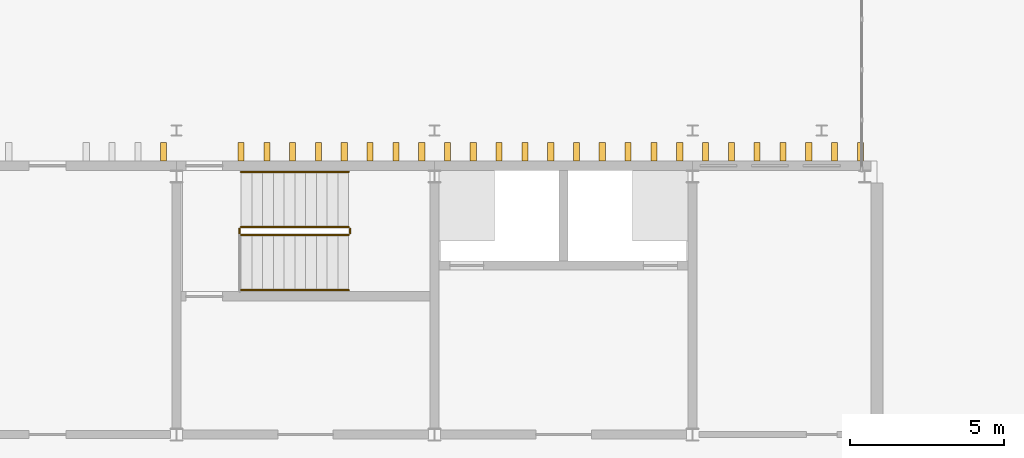
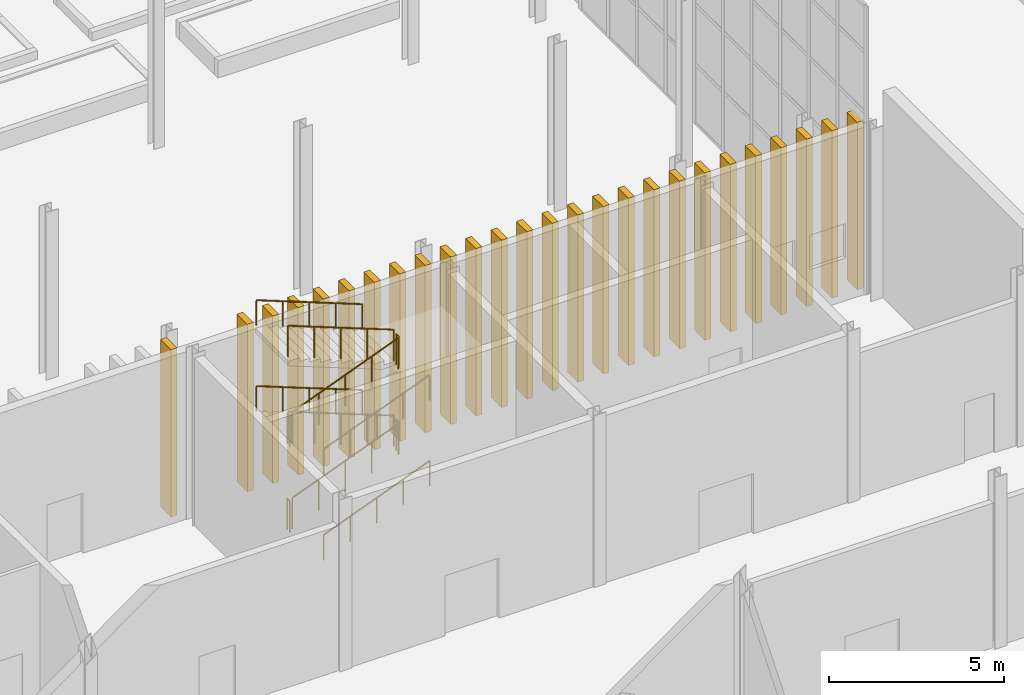
# One storey, part 100 of 108: 26 coverings, 12 railings.
"""IFC4 building model written with IfcOpenShell, lengths in metres."""

from ifc_helpers import new_model, si_unit, direction, frame, origin, origin_2d, place, context, subcontext, project, spatial, rectangle, circle, extrude, material, type_object, element, save


model = new_model("IFC4")

# Units and contexts
model_context = context("Model", 3, precision=1e-05, world=origin(), true_north=direction((0.0, 1.0)))
body_context = subcontext(model_context, "Body", "Model", "MODEL_VIEW")
ifc_project = project(units=[si_unit("LENGTHUNIT", "METRE"), si_unit("AREAUNIT", "SQUARE_METRE"), si_unit("VOLUMEUNIT", "CUBIC_METRE"), si_unit("PLANEANGLEUNIT", "RADIAN"), si_unit("MASSUNIT", "GRAM", prefix="KILO")], contexts=[model_context])

# Site, building, storey
site_placement = place(None, origin())
site = spatial("IfcSite", under=ifc_project, at=site_placement, CompositionType="ELEMENT")
building_placement = place(site_placement, origin())
building = spatial("IfcBuilding", under=site, at=building_placement, Name="Cresset Court Congress Hotel", CompositionType="ELEMENT")
storey_placement = place(building_placement, origin())
storey = spatial("IfcBuildingStorey", under=building, at=storey_placement, Name="L00", CompositionType="ELEMENT", Elevation=0.0)

# Railings
ifc_material_1 = material(Name="Steel and laminated glass", Category="steel")
railing_type_1 = type_object("IfcRailingType", Name="Guard 1100 steel and glass", PredefinedType="GUARDRAIL", material=ifc_material_1)
railing_1_placement = place(storey_placement, frame((136.5, 23.300048828125, 0.136474609375)))
element("IfcRailing", 1, at=railing_1_placement, inside=storey, type_object=railing_type_1, Name="L00 ST-B5 stair guard 1", PredefinedType="GUARDRAIL", context=body_context, shape_type="SweptSolid", body=[
    extrude(circle(Radius=0.02392578125, at=origin_2d()), frame((0.0, 0.0, 1.076171875), z_axis=(0.931787385211, 0.0, 0.3630045024), x_axis=(0.0, 1.0, 0.0)), (0.0, 0.0, 1.0), 3.756103515625),
    extrude(circle(Radius=0.02099609375, at=origin_2d()), origin(), (0.0, 0.0, 1.0), 1.052001953125),
    extrude(circle(Radius=0.02099609375, at=origin_2d()), frame((0.875, 0.0, 0.3408203125)), (0.0, 0.0, 1.0), 1.052001953125),
    extrude(circle(Radius=0.02099609375, at=origin_2d()), frame((1.75, 0.0, 0.681640625)), (0.0, 0.0, 1.0), 1.052001953125),
    extrude(circle(Radius=0.02099609375, at=origin_2d()), frame((2.625, 0.0, 1.022705078125)), (0.0, 0.0, 1.0), 1.052001953125),
    extrude(circle(Radius=0.02099609375, at=origin_2d()), frame((3.5, 0.0, 1.363525390625)), (0.0, 0.0, 1.0), 1.052001953125),
])
railing_2_placement = place(storey_placement, frame((140.050048828125, 23.35009765625, 1.5)))
element("IfcRailing", 2, at=railing_2_placement, inside=storey, type_object=railing_type_1, Name="L00 ST-B5 stair guard 2", PredefinedType="GUARDRAIL", context=body_context, shape_type="SweptSolid", body=[
    extrude(circle(Radius=0.02392578125, at=origin_2d()), frame((0.0, 0.0, 1.076171875), z_axis=(0.0, 1.0, 0.0), x_axis=(-1.0, 0.0, 0.0)), (0.0, 0.0, 1.0), 0.14990234375),
    extrude(circle(Radius=0.02099609375, at=origin_2d()), origin(), (0.0, 0.0, 1.0), 1.052001953125),
    extrude(circle(Radius=0.02099609375, at=origin_2d()), frame((0.0, 0.14990234375, 0.0)), (0.0, 0.0, 1.0), 1.052001953125),
])
railing_3_placement = place(storey_placement, frame((140.0, 23.550048828125, 1.636474609375)))
element("IfcRailing", 3, at=railing_3_placement, inside=storey, type_object=railing_type_1, Name="L00 ST-B5 stair guard 3", PredefinedType="GUARDRAIL", context=body_context, shape_type="SweptSolid", body=[
    extrude(circle(Radius=0.02392578125, at=origin_2d()), frame((0.0, 0.0, 1.076171875), z_axis=(-0.931787385211, 0.0, 0.3630045024), x_axis=(0.0, -1.0, 0.0)), (0.0, 0.0, 1.0), 3.756103515625),
    extrude(circle(Radius=0.02099609375, at=origin_2d()), origin(), (0.0, 0.0, 1.0), 1.052001953125),
    extrude(circle(Radius=0.02099609375, at=origin_2d()), frame((-0.875, 0.0, 0.3408203125)), (0.0, 0.0, 1.0), 1.052001953125),
    extrude(circle(Radius=0.02099609375, at=origin_2d()), frame((-1.75, 0.0, 0.681640625)), (0.0, 0.0, 1.0), 1.052001953125),
    extrude(circle(Radius=0.02099609375, at=origin_2d()), frame((-2.625, 0.0, 1.022705078125)), (0.0, 0.0, 1.0), 1.052001953125),
    extrude(circle(Radius=0.02099609375, at=origin_2d()), frame((-3.5, 0.0, 1.363525390625)), (0.0, 0.0, 1.0), 1.052001953125),
])
railing_4_placement = place(storey_placement, frame((136.449951171875, 23.35009765625, 3.0)))
element("IfcRailing", 4, at=railing_4_placement, inside=storey, type_object=railing_type_1, Name="L00 ST-B5 stair guard 4", PredefinedType="GUARDRAIL", context=body_context, shape_type="SweptSolid", body=[
    extrude(circle(Radius=0.02392578125, at=origin_2d()), frame((0.0, 0.0, 1.076171875), z_axis=(0.0, 1.0, 0.0), x_axis=(-1.0, 0.0, 0.0)), (0.0, 0.0, 1.0), 0.14990234375),
    extrude(circle(Radius=0.02099609375, at=origin_2d()), origin(), (0.0, 0.0, 1.0), 1.052001953125),
    extrude(circle(Radius=0.02099609375, at=origin_2d()), frame((0.0, 0.14990234375, 0.0)), (0.0, 0.0, 1.0), 1.052001953125),
])
railing_5_placement = place(storey_placement, frame((136.5, 23.300048828125, 3.136474609375)))
element("IfcRailing", 5, at=railing_5_placement, inside=storey, type_object=railing_type_1, Name="L00 ST-B5 stair guard 5", PredefinedType="GUARDRAIL", context=body_context, shape_type="SweptSolid", body=[
    extrude(circle(Radius=0.02392578125, at=origin_2d()), frame((0.0, 0.0, 1.076171875), z_axis=(0.931787385211, 0.0, 0.3630045024), x_axis=(0.0, 1.0, 0.0)), (0.0, 0.0, 1.0), 3.756103515625),
    extrude(circle(Radius=0.02099609375, at=origin_2d()), origin(), (0.0, 0.0, 1.0), 1.052001953125),
    extrude(circle(Radius=0.02099609375, at=origin_2d()), frame((0.875, 0.0, 0.3408203125)), (0.0, 0.0, 1.0), 1.052001953125),
    extrude(circle(Radius=0.02099609375, at=origin_2d()), frame((1.75, 0.0, 0.681640625)), (0.0, 0.0, 1.0), 1.052001953125),
    extrude(circle(Radius=0.02099609375, at=origin_2d()), frame((2.625, 0.0, 1.022705078125)), (0.0, 0.0, 1.0), 1.052001953125),
    extrude(circle(Radius=0.02099609375, at=origin_2d()), frame((3.5, 0.0, 1.363525390625)), (0.0, 0.0, 1.0), 1.052001953125),
])
railing_6_placement = place(storey_placement, frame((140.050048828125, 23.35009765625, 4.5)))
element("IfcRailing", 6, at=railing_6_placement, inside=storey, type_object=railing_type_1, Name="L00 ST-B5 stair guard 6", PredefinedType="GUARDRAIL", context=body_context, shape_type="SweptSolid", body=[
    extrude(circle(Radius=0.02392578125, at=origin_2d()), frame((0.0, 0.0, 1.076171875), z_axis=(0.0, 1.0, 0.0), x_axis=(-1.0, 0.0, 0.0)), (0.0, 0.0, 1.0), 0.14990234375),
    extrude(circle(Radius=0.02099609375, at=origin_2d()), origin(), (0.0, 0.0, 1.0), 1.052001953125),
    extrude(circle(Radius=0.02099609375, at=origin_2d()), frame((0.0, 0.14990234375, 0.0)), (0.0, 0.0, 1.0), 1.052001953125),
])
railing_7_placement = place(storey_placement, frame((140.0, 23.550048828125, 4.636474609375)))
element("IfcRailing", 7, at=railing_7_placement, inside=storey, type_object=railing_type_1, Name="L00 ST-B5 stair guard 7", PredefinedType="GUARDRAIL", context=body_context, shape_type="SweptSolid", body=[
    extrude(circle(Radius=0.02392578125, at=origin_2d()), frame((0.0, 0.0, 1.076171875), z_axis=(-0.931787385211, 0.0, 0.3630045024), x_axis=(0.0, -1.0, 0.0)), (0.0, 0.0, 1.0), 3.756103515625),
    extrude(circle(Radius=0.02099609375, at=origin_2d()), origin(), (0.0, 0.0, 1.0), 1.052001953125),
    extrude(circle(Radius=0.02099609375, at=origin_2d()), frame((-0.875, 0.0, 0.3408203125)), (0.0, 0.0, 1.0), 1.052001953125),
    extrude(circle(Radius=0.02099609375, at=origin_2d()), frame((-1.75, 0.0, 0.681640625)), (0.0, 0.0, 1.0), 1.052001953125),
    extrude(circle(Radius=0.02099609375, at=origin_2d()), frame((-2.625, 0.0, 1.022705078125)), (0.0, 0.0, 1.0), 1.052001953125),
    extrude(circle(Radius=0.02099609375, at=origin_2d()), frame((-3.5, 0.0, 1.363525390625)), (0.0, 0.0, 1.0), 1.052001953125),
])
railing_8_placement = place(storey_placement, frame((136.449951171875, 23.35009765625, 0.0)))
element("IfcRailing", 8, at=railing_8_placement, inside=storey, type_object=railing_type_1, Name="L00 ST-B5 stair guard 8", PredefinedType="GUARDRAIL", context=body_context, shape_type="SweptSolid", body=[
    extrude(circle(Radius=0.02392578125, at=origin_2d()), frame((0.0, 0.0, 1.076171875), z_axis=(0.0, 1.0, 0.0), x_axis=(-1.0, 0.0, 0.0)), (0.0, 0.0, 1.0), 0.14990234375),
    extrude(circle(Radius=0.02099609375, at=origin_2d()), origin(), (0.0, 0.0, 1.0), 1.052001953125),
    extrude(circle(Radius=0.02099609375, at=origin_2d()), frame((0.0, 0.14990234375, 0.0)), (0.0, 0.0, 1.0), 1.052001953125),
])
ifc_material_2 = material(Name="Stainless steel", Category="steel")
railing_type_2 = type_object("IfcRailingType", Name="Handrail 48 stainless", PredefinedType="HANDRAIL", material=ifc_material_2)
railing_9_placement = place(storey_placement, frame((136.5, 21.5, 0.136474609375)))
element("IfcRailing", 9, at=railing_9_placement, inside=storey, type_object=railing_type_2, Name="L00 ST-B5 stair handrail 1", PredefinedType="HANDRAIL", context=body_context, shape_type="SweptSolid", body=[
    extrude(circle(Radius=0.02392578125, at=origin_2d()), frame((0.0, 0.0, 0.8759765625), z_axis=(0.931787385211, 0.0, 0.3630045024), x_axis=(0.0, 1.0, 0.0)), (0.0, 0.0, 1.0), 3.756103515625),
    extrude(circle(Radius=0.02099609375, at=origin_2d()), origin(), (0.0, 0.0, 1.0), 0.851806640625),
    extrude(circle(Radius=0.02099609375, at=origin_2d()), frame((0.875, 0.0, 0.3408203125)), (0.0, 0.0, 1.0), 0.851806640625),
    extrude(circle(Radius=0.02099609375, at=origin_2d()), frame((1.75, 0.0, 0.681640625)), (0.0, 0.0, 1.0), 0.851806640625),
    extrude(circle(Radius=0.02099609375, at=origin_2d()), frame((2.625, 0.0, 1.022705078125)), (0.0, 0.0, 1.0), 0.851806640625),
    extrude(circle(Radius=0.02099609375, at=origin_2d()), frame((3.5, 0.0, 1.363525390625)), (0.0, 0.0, 1.0), 0.851806640625),
])
railing_10_placement = place(storey_placement, frame((140.0, 25.35009765625, 1.636474609375)))
element("IfcRailing", 10, at=railing_10_placement, inside=storey, type_object=railing_type_2, Name="L00 ST-B5 stair handrail 2", PredefinedType="HANDRAIL", context=body_context, shape_type="SweptSolid", body=[
    extrude(circle(Radius=0.02392578125, at=origin_2d()), frame((0.0, 0.0, 0.8759765625), z_axis=(-0.931787385211, 0.0, 0.3630045024), x_axis=(0.0, -1.0, 0.0)), (0.0, 0.0, 1.0), 3.756103515625),
    extrude(circle(Radius=0.02099609375, at=origin_2d()), origin(), (0.0, 0.0, 1.0), 0.851806640625),
    extrude(circle(Radius=0.02099609375, at=origin_2d()), frame((-0.875, 0.0, 0.3408203125)), (0.0, 0.0, 1.0), 0.851806640625),
    extrude(circle(Radius=0.02099609375, at=origin_2d()), frame((-1.75, 0.0, 0.681640625)), (0.0, 0.0, 1.0), 0.851806640625),
    extrude(circle(Radius=0.02099609375, at=origin_2d()), frame((-2.625, 0.0, 1.022705078125)), (0.0, 0.0, 1.0), 0.851806640625),
    extrude(circle(Radius=0.02099609375, at=origin_2d()), frame((-3.5, 0.0, 1.363525390625)), (0.0, 0.0, 1.0), 0.851806640625),
])
railing_11_placement = place(storey_placement, frame((136.5, 21.5, 3.136474609375)))
element("IfcRailing", 11, at=railing_11_placement, inside=storey, type_object=railing_type_2, Name="L00 ST-B5 stair handrail 3", PredefinedType="HANDRAIL", context=body_context, shape_type="SweptSolid", body=[
    extrude(circle(Radius=0.02392578125, at=origin_2d()), frame((0.0, 0.0, 0.8759765625), z_axis=(0.931787385211, 0.0, 0.3630045024), x_axis=(0.0, 1.0, 0.0)), (0.0, 0.0, 1.0), 3.756103515625),
    extrude(circle(Radius=0.02099609375, at=origin_2d()), origin(), (0.0, 0.0, 1.0), 0.851806640625),
    extrude(circle(Radius=0.02099609375, at=origin_2d()), frame((0.875, 0.0, 0.3408203125)), (0.0, 0.0, 1.0), 0.851806640625),
    extrude(circle(Radius=0.02099609375, at=origin_2d()), frame((1.75, 0.0, 0.681640625)), (0.0, 0.0, 1.0), 0.851806640625),
    extrude(circle(Radius=0.02099609375, at=origin_2d()), frame((2.625, 0.0, 1.022705078125)), (0.0, 0.0, 1.0), 0.851806640625),
    extrude(circle(Radius=0.02099609375, at=origin_2d()), frame((3.5, 0.0, 1.363525390625)), (0.0, 0.0, 1.0), 0.851806640625),
])
railing_12_placement = place(storey_placement, frame((140.0, 25.35009765625, 4.636474609375)))
element("IfcRailing", 12, at=railing_12_placement, inside=storey, type_object=railing_type_2, Name="L00 ST-B5 stair handrail 4", PredefinedType="HANDRAIL", context=body_context, shape_type="SweptSolid", body=[
    extrude(circle(Radius=0.02392578125, at=origin_2d()), frame((0.0, 0.0, 0.8759765625), z_axis=(-0.931787385211, 0.0, 0.3630045024), x_axis=(0.0, -1.0, 0.0)), (0.0, 0.0, 1.0), 3.756103515625),
    extrude(circle(Radius=0.02099609375, at=origin_2d()), origin(), (0.0, 0.0, 1.0), 0.851806640625),
    extrude(circle(Radius=0.02099609375, at=origin_2d()), frame((-0.875, 0.0, 0.3408203125)), (0.0, 0.0, 1.0), 0.851806640625),
    extrude(circle(Radius=0.02099609375, at=origin_2d()), frame((-1.75, 0.0, 0.681640625)), (0.0, 0.0, 1.0), 0.851806640625),
    extrude(circle(Radius=0.02099609375, at=origin_2d()), frame((-2.625, 0.0, 1.022705078125)), (0.0, 0.0, 1.0), 0.851806640625),
    extrude(circle(Radius=0.02099609375, at=origin_2d()), frame((-3.5, 0.0, 1.363525390625)), (0.0, 0.0, 1.0), 0.851806640625),
])

# Coverings
ifc_material_3 = material(Name="Precast concrete C50", Category="concrete")
covering_type = type_object("IfcCoveringType", Name="Precast stone fin 200x600 variant 1", PredefinedType="CLADDING", material=ifc_material_3)
for number, where, z_axis, x_axis, name in (
    (13, (133.97998046875, 26.0, 0.0), (0.0, 0.0, 1.0), (1.0, 0.0, 0.0), "Fin N00-149"),
    (14, (136.5, 26.0, 0.0), (0.0, 0.0, 1.0), (1.0, 0.0, 0.0), "Fin N00-152"),
    (15, (137.340087890625, 26.0, 0.0), (0.0, 0.0, 1.0), (1.0, 0.0, 0.0), "Fin N00-153"),
    (16, (138.179931640625, 26.0, 0.0), (0.0, 0.0, 1.0), (1.0, 0.0, 0.0), "Fin N00-154"),
    (17, (139.02001953125, 26.0, 0.0), (0.0, 0.0, 1.0), (1.0, 0.0, 0.0), "Fin N00-155"),
    (18, (139.860107421875, 26.0, 0.0), (0.0, 0.0, 1.0), (1.0, 0.0, 0.0), "Fin N00-156"),
    (19, (140.699951171875, 26.0, 0.0), (0.0, 0.0, 1.0), (1.0, 0.0, 0.0), "Fin N00-157"),
    (20, (141.5400390625, 26.0, 0.0), (0.0, 0.0, 1.0), (1.0, 0.0, 0.0), "Fin N00-158"),
    (21, (142.3798828125, 26.0, 0.0), (0.0, 0.0, 1.0), (1.0, 0.0, 0.0), "Fin N00-159"),
    (22, (143.219970703125, 26.0, 0.0), (0.0, 0.0, 1.0), (1.0, 0.0, 0.0), "Fin N00-160"),
    (23, (144.06005859375, 26.0, 0.0), (0.0, 0.0, 1.0), (1.0, 0.0, 0.0), "Fin N00-161"),
    (24, (144.89990234375, 26.0, 0.0), (0.0, 0.0, 1.0), (1.0, 0.0, 0.0), "Fin N00-162"),
    (25, (145.739990234375, 26.0, 0.0), (0.0, 0.0, 1.0), (1.0, 0.0, 0.0), "Fin N00-163"),
    (26, (146.580078125, 26.0, 0.0), (0.0, 0.0, 1.0), (1.0, 0.0, 0.0), "Fin N00-164"),
    (27, (147.419921875, 26.0, 0.0), (0.0, 0.0, 1.0), (1.0, 0.0, 0.0), "Fin N00-165"),
    (28, (148.260009765625, 26.0, 0.0), (0.0, 0.0, 1.0), (1.0, 0.0, 0.0), "Fin N00-166"),
    (29, (149.10009765625, 26.0, 0.0), (0.0, 0.0, 1.0), (1.0, 0.0, 0.0), "Fin N00-167"),
    (30, (149.93994140625, 26.0, 0.0), (0.0, 0.0, 1.0), (1.0, 0.0, 0.0), "Fin N00-168"),
    (31, (150.780029296875, 26.0, 0.0), (0.0, 0.0, 1.0), (1.0, 0.0, 0.0), "Fin N00-169"),
    (32, (151.6201171875, 26.0, 0.0), (0.0, 0.0, 1.0), (1.0, 0.0, 0.0), "Fin N00-170"),
    (33, (152.4599609375, 26.0, 0.0), (0.0, 0.0, 1.0), (1.0, 0.0, 0.0), "Fin N00-171"),
    (34, (153.300048828125, 26.0, 0.0), (0.0, 0.0, 1.0), (1.0, 0.0, 0.0), "Fin N00-172"),
    (35, (154.139892578125, 26.0, 0.0), (0.0, 0.0, 1.0), (1.0, 0.0, 0.0), "Fin N00-173"),
    (36, (154.97998046875, 26.0, 0.0), (0.0, 0.0, 1.0), (1.0, 0.0, 0.0), "Fin N00-174"),
    (37, (155.820068359375, 26.0, 0.0), (0.0, 0.0, 1.0), (1.0, 0.0, 0.0), "Fin N00-175"),
    (38, (156.659912109375, 26.0, 0.0), (0.0, 0.0, 1.0), (1.0, 0.0, 0.0), "Fin N00-176"),
):
    element("IfcCovering", number, at=place(storey_placement, frame(where, z_axis=z_axis, x_axis=x_axis)), inside=storey, type_object=covering_type, Name=name, PredefinedType="CLADDING", context=body_context, shape_type="SweptSolid", body=[
        extrude(rectangle(XDim=0.199951171875, YDim=0.60009765625, at=origin_2d()), origin(), (0.0, 0.0, 1.0), 5.85009765625),
    ])

save(model, "model.ifc")
